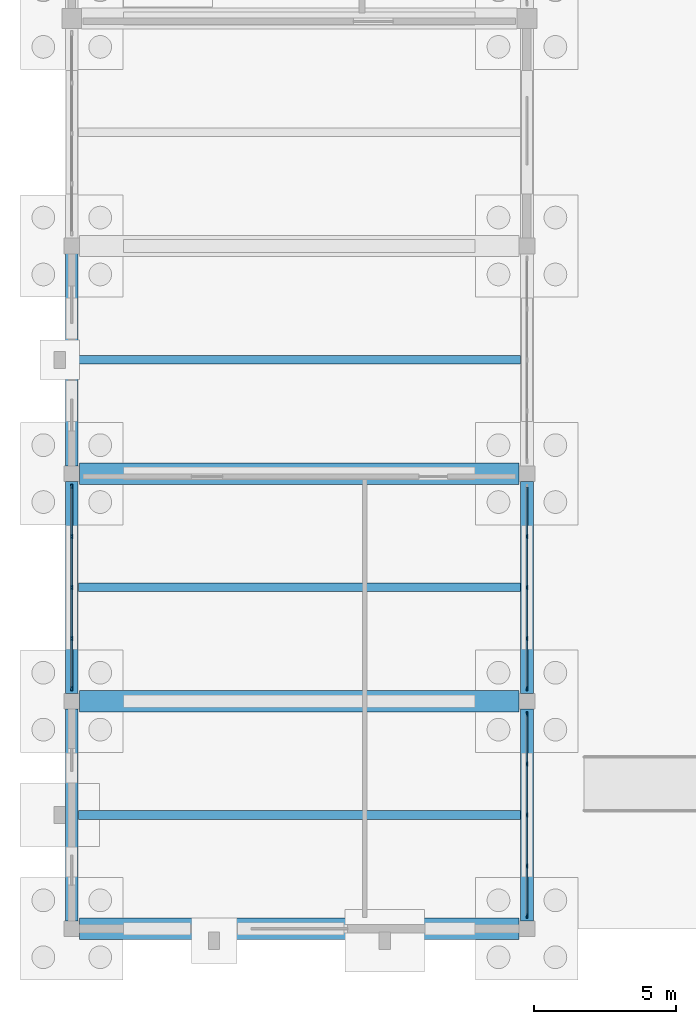
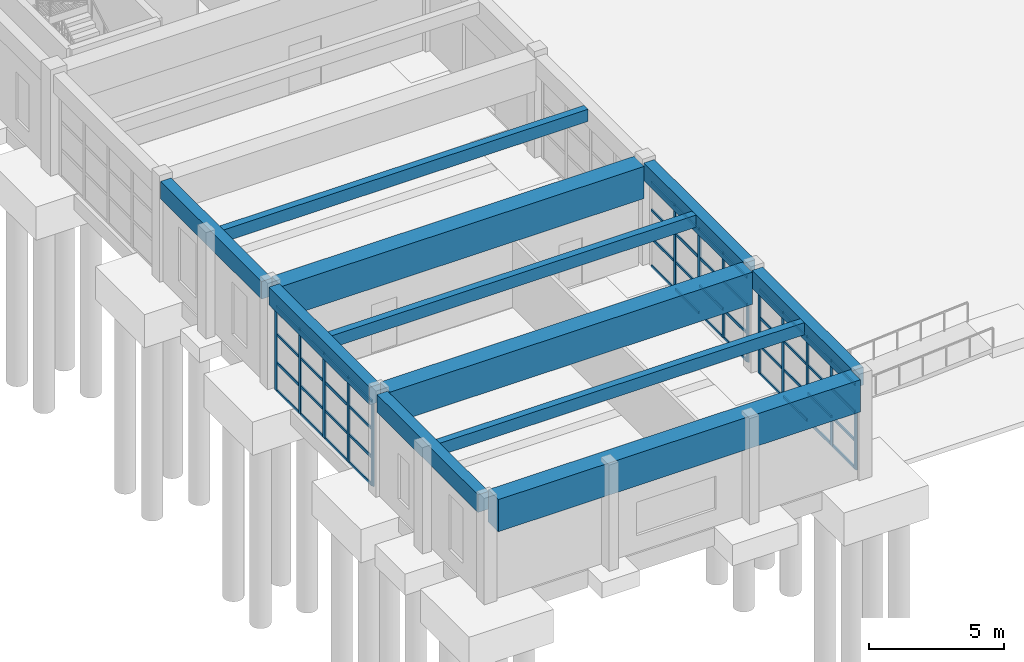
# One storey, part 10 of 68: 62 members, 11 beams, 3 elements without a shape of their own.
"""IFC4 building model written with IfcOpenShell, lengths in metres."""

from ifc_helpers import new_model, si_unit, direction, frame, origin, origin_2d, place, context, subcontext, project, spatial, rectangle, extrude, material, material_profile, profile_set, type_object, element, aggregate, save


model = new_model("IFC4")

# Units and contexts
model_context = context("Model", 3, precision=1e-05, world=origin(), true_north=direction((0.0, 1.0)))
body_context = subcontext(model_context, "Body", "Model", "MODEL_VIEW")
ifc_project = project(units=[si_unit("LENGTHUNIT", "METRE"), si_unit("AREAUNIT", "SQUARE_METRE"), si_unit("VOLUMEUNIT", "CUBIC_METRE"), si_unit("PLANEANGLEUNIT", "RADIAN"), si_unit("MASSUNIT", "GRAM", prefix="KILO")], contexts=[model_context])

# Site, building, storey
site_placement = place(None, origin())
site = spatial("IfcSite", under=ifc_project, at=site_placement, CompositionType="ELEMENT")
building_placement = place(site_placement, origin())
building = spatial("IfcBuilding", under=site, at=building_placement, Name="Serraluz Foothill Cableway Terminal", CompositionType="ELEMENT")
storey_placement = place(building_placement, origin())
storey = spatial("IfcBuildingStorey", under=building, at=storey_placement, Name="L00", CompositionType="ELEMENT", Elevation=0.0)

# Beams
ifc_material_1 = material(Name="Concrete C35/45 (f'c 35 MPa)", Category="concrete")
ifc_material_profile_1 = material_profile(ifc_material_1, rectangle(XDim=0.449951171875, YDim=0.800048828125, at=origin_2d()), Name="RC 450x800")
ifc_profile_set_1 = profile_set([ifc_material_profile_1], Name="Concrete C35/45 (f'c 35 MPa)")
beam_type_1 = type_object("IfcBeamType", Name="TYP-BM-RC450X800", PredefinedType="BEAM", material=ifc_profile_set_1)
for number, where, z_axis, x_axis, name in (
    (1, (0.0, 0.27099609375, 4.219970703125), (0.0, 1.0, 0.0), (-1.0, 0.0, 0.0), "Transverse Girder BM-Y-L00-0111"),
    (2, (0.0, 8.27099609375, 4.219970703125), (0.0, 1.0, 0.0), (-1.0, 0.0, 0.0), "Transverse Girder BM-Y-L00-0112"),
    (3, (0.0, 16.27099609375, 4.139892578125), (0.0, 1.0, 0.0), (-1.0, 0.0, 0.0), "Transverse Girder BM-Y-L00-0113"),
    (4, (16.0, 0.27099609375, 4.219970703125), (0.0, 1.0, 0.0), (-1.0, 0.0, 0.0), "Transverse Girder BM-Y-L00-0119"),
    (5, (16.0, 8.27099609375, 4.219970703125), (0.0, 1.0, 0.0), (-1.0, 0.0, 0.0), "Transverse Girder BM-Y-L00-0120"),
):
    element("IfcBeam", number, at=place(storey_placement, frame(where, z_axis=z_axis, x_axis=x_axis)), inside=storey, type_object=beam_type_1, Name=name, PredefinedType="BEAM", context=body_context, shape_type="SweptSolid", body=[
        extrude(rectangle(XDim=0.449951171875, YDim=0.800048828125, at=origin_2d()), origin(), (0.0, 0.0, 1.0), 7.4580078125),
    ])
ifc_material_profile_2 = material_profile(ifc_material_1, rectangle(XDim=0.75, YDim=1.449951171875, at=origin_2d()), Name="RC TG 750x1450")
ifc_profile_set_2 = profile_set([ifc_material_profile_2], Name="Concrete C35/45 (f'c 35 MPa)")
beam_type_2 = type_object("IfcBeamType", Name="TYP-BM-RCTG1450", PredefinedType="BEAM", material=ifc_profile_set_2)
for number, where, z_axis, x_axis, name in (
    (6, (0.27099609375, 0.0, 3.89501953125), (1.0, 0.0, 0.0), (0.0, 1.0, 0.0), "Primary Girder BM-X-L00-0033"),
    (7, (0.27099609375, 8.0, 3.89501953125), (1.0, 0.0, 0.0), (0.0, 1.0, 0.0), "Primary Girder BM-X-L00-0040"),
    (8, (0.27099609375, 16.0, 3.81494140625), (1.0, 0.0, 0.0), (0.0, 1.0, 0.0), "Primary Girder BM-X-L00-0041"),
):
    element("IfcBeam", number, at=place(storey_placement, frame(where, z_axis=z_axis, x_axis=x_axis)), inside=storey, type_object=beam_type_2, Name=name, PredefinedType="BEAM", context=body_context, shape_type="SweptSolid", body=[
        extrude(rectangle(XDim=0.75, YDim=1.449951171875, at=origin_2d()), origin(), (0.0, 0.0, 1.0), 15.4580078125),
    ])

# Curtain wall, members
ifc_material_2 = material(Name="Architectural bronze alloy C28000", Category="aluminium")
curtain_wall_type_1 = type_object("IfcCurtainWallType", Name="TYP-CW-520X480", PredefinedType="NOTDEFINED", material=ifc_material_2)
curtain_wall_1_placement = place(storey_placement, origin())
curtain_wall_1 = element("IfcCurtainWall", 9, at=curtain_wall_1_placement, inside=storey, type_object=curtain_wall_type_1, Name="Ribbed Glazed Curtain Wall CW-V5E-L00-0", PredefinedType="NOTDEFINED")
ifc_material_profile_3 = material_profile(ifc_material_2, rectangle(XDim=0.06005859375, YDim=0.159912109375, at=origin_2d()), Name="ALU MULLION 60x160")
ifc_profile_set_3 = profile_set([ifc_material_profile_3], Name="Architectural bronze alloy C28000")
member_type_1 = type_object("IfcMemberType", Name="TYP-CW-MUL-60X160", PredefinedType="MULLION", material=ifc_profile_set_3)
member_1_placement = place(storey_placement, frame((16.0, 7.554931640625, 0.0), z_axis=(0.0, 0.0, 1.0), x_axis=(1.0, 0.0, 0.0)))
member_1 = element("IfcMember", 10, at=member_1_placement, type_object=member_type_1, Name="CW-09 mullion 1", PredefinedType="MULLION", context=body_context, shape_type="SweptSolid", body=[
    extrude(rectangle(XDim=0.06005859375, YDim=0.159912109375, at=origin_2d()), origin(), (0.0, 0.0, 1.0), 3.820068359375),
])
member_2_placement = place(storey_placement, frame((16.0, 5.79248046875, 0.0), z_axis=(0.0, 0.0, 1.0), x_axis=(1.0, 0.0, 0.0)))
member_2 = element("IfcMember", 11, at=member_2_placement, type_object=member_type_1, Name="CW-09 mullion 2", PredefinedType="MULLION", context=body_context, shape_type="SweptSolid", body=[
    extrude(rectangle(XDim=0.06005859375, YDim=0.159912109375, at=origin_2d()), origin(), (0.0, 0.0, 1.0), 3.820068359375),
])
member_3_placement = place(storey_placement, frame((16.0, 4.0, 0.0), z_axis=(0.0, 0.0, 1.0), x_axis=(1.0, 0.0, 0.0)))
member_3 = element("IfcMember", 12, at=member_3_placement, type_object=member_type_1, Name="CW-09 mullion 3", PredefinedType="MULLION", context=body_context, shape_type="SweptSolid", body=[
    extrude(rectangle(XDim=0.06005859375, YDim=0.159912109375, at=origin_2d()), origin(), (0.0, 0.0, 1.0), 3.820068359375),
])
member_4_placement = place(storey_placement, frame((16.0, 2.20751953125, 0.0), z_axis=(0.0, 0.0, 1.0), x_axis=(1.0, 0.0, 0.0)))
member_4 = element("IfcMember", 13, at=member_4_placement, type_object=member_type_1, Name="CW-09 mullion 4", PredefinedType="MULLION", context=body_context, shape_type="SweptSolid", body=[
    extrude(rectangle(XDim=0.06005859375, YDim=0.159912109375, at=origin_2d()), origin(), (0.0, 0.0, 1.0), 3.820068359375),
])
member_5_placement = place(storey_placement, frame((16.0, 0.445068359375, 0.0), z_axis=(0.0, 0.0, 1.0), x_axis=(1.0, 0.0, 0.0)))
member_5 = element("IfcMember", 14, at=member_5_placement, type_object=member_type_1, Name="CW-09 mullion 5", PredefinedType="MULLION", context=body_context, shape_type="SweptSolid", body=[
    extrude(rectangle(XDim=0.06005859375, YDim=0.159912109375, at=origin_2d()), origin(), (0.0, 0.0, 1.0), 3.820068359375),
])

curtain_wall_type_2 = type_object("IfcCurtainWallType", Name="TYP-CW-720X480", PredefinedType="NOTDEFINED", material=ifc_material_2)
curtain_wall_2_placement = place(storey_placement, origin())
curtain_wall_2 = element("IfcCurtainWall", 15, at=curtain_wall_2_placement, inside=storey, type_object=curtain_wall_type_2, Name="Ribbed Glazed Curtain Wall CW-V5W-L00-8", PredefinedType="NOTDEFINED")
member_6_placement = place(storey_placement, frame((0.0, 8.445068359375, 0.0), z_axis=(0.0, 0.0, 1.0), x_axis=(-1.0, 0.0, 0.0)))
member_6 = element("IfcMember", 16, at=member_6_placement, type_object=member_type_1, Name="CW-04 mullion 1", PredefinedType="MULLION", context=body_context, shape_type="SweptSolid", body=[
    extrude(rectangle(XDim=0.06005859375, YDim=0.159912109375, at=origin_2d()), origin(), (0.0, 0.0, 1.0), 3.820068359375),
])
member_7_placement = place(storey_placement, frame((0.0, 10.20751953125, 0.0), z_axis=(0.0, 0.0, 1.0), x_axis=(-1.0, 0.0, 0.0)))
member_7 = element("IfcMember", 17, at=member_7_placement, type_object=member_type_1, Name="CW-04 mullion 2", PredefinedType="MULLION", context=body_context, shape_type="SweptSolid", body=[
    extrude(rectangle(XDim=0.06005859375, YDim=0.159912109375, at=origin_2d()), origin(), (0.0, 0.0, 1.0), 3.820068359375),
])
member_8_placement = place(storey_placement, frame((0.0, 12.0, 0.0), z_axis=(0.0, 0.0, 1.0), x_axis=(-1.0, 0.0, 0.0)))
member_8 = element("IfcMember", 18, at=member_8_placement, type_object=member_type_1, Name="CW-04 mullion 3", PredefinedType="MULLION", context=body_context, shape_type="SweptSolid", body=[
    extrude(rectangle(XDim=0.06005859375, YDim=0.159912109375, at=origin_2d()), origin(), (0.0, 0.0, 1.0), 3.820068359375),
])
member_9_placement = place(storey_placement, frame((0.0, 13.79248046875, 0.0), z_axis=(0.0, 0.0, 1.0), x_axis=(-1.0, 0.0, 0.0)))
member_9 = element("IfcMember", 19, at=member_9_placement, type_object=member_type_1, Name="CW-04 mullion 4", PredefinedType="MULLION", context=body_context, shape_type="SweptSolid", body=[
    extrude(rectangle(XDim=0.06005859375, YDim=0.159912109375, at=origin_2d()), origin(), (0.0, 0.0, 1.0), 3.820068359375),
])
member_10_placement = place(storey_placement, frame((0.0, 15.554931640625, 0.0), z_axis=(0.0, 0.0, 1.0), x_axis=(-1.0, 0.0, 0.0)))
member_10 = element("IfcMember", 20, at=member_10_placement, type_object=member_type_1, Name="CW-04 mullion 5", PredefinedType="MULLION", context=body_context, shape_type="SweptSolid", body=[
    extrude(rectangle(XDim=0.06005859375, YDim=0.159912109375, at=origin_2d()), origin(), (0.0, 0.0, 1.0), 3.820068359375),
])

curtain_wall_type_3 = type_object("IfcCurtainWallType", Name="TYP-CW-540X420", PredefinedType="NOTDEFINED", material=ifc_material_2)
curtain_wall_3_placement = place(storey_placement, origin())
curtain_wall_3 = element("IfcCurtainWall", 21, at=curtain_wall_3_placement, inside=storey, type_object=curtain_wall_type_3, Name="Ribbed Glazed Curtain Wall CW-V5E-L00-8", PredefinedType="NOTDEFINED")
member_11_placement = place(storey_placement, frame((16.0, 13.79248046875, 0.0), z_axis=(0.0, 0.0, 1.0), x_axis=(1.0, 0.0, 0.0)))
member_11 = element("IfcMember", 22, at=member_11_placement, type_object=member_type_1, Name="CW-10 mullion 2", PredefinedType="MULLION", context=body_context, shape_type="SweptSolid", body=[
    extrude(rectangle(XDim=0.06005859375, YDim=0.159912109375, at=origin_2d()), origin(), (0.0, 0.0, 1.0), 3.820068359375),
])
member_12_placement = place(storey_placement, frame((16.0, 12.0, 0.0), z_axis=(0.0, 0.0, 1.0), x_axis=(1.0, 0.0, 0.0)))
member_12 = element("IfcMember", 23, at=member_12_placement, type_object=member_type_1, Name="CW-10 mullion 3", PredefinedType="MULLION", context=body_context, shape_type="SweptSolid", body=[
    extrude(rectangle(XDim=0.06005859375, YDim=0.159912109375, at=origin_2d()), origin(), (0.0, 0.0, 1.0), 3.820068359375),
])
member_13_placement = place(storey_placement, frame((16.0, 10.20751953125, 0.0), z_axis=(0.0, 0.0, 1.0), x_axis=(1.0, 0.0, 0.0)))
member_13 = element("IfcMember", 24, at=member_13_placement, type_object=member_type_1, Name="CW-10 mullion 4", PredefinedType="MULLION", context=body_context, shape_type="SweptSolid", body=[
    extrude(rectangle(XDim=0.06005859375, YDim=0.159912109375, at=origin_2d()), origin(), (0.0, 0.0, 1.0), 3.820068359375),
])
member_14_placement = place(storey_placement, frame((16.0, 8.445068359375, 0.0), z_axis=(0.0, 0.0, 1.0), x_axis=(1.0, 0.0, 0.0)))
member_14 = element("IfcMember", 25, at=member_14_placement, type_object=member_type_1, Name="CW-10 mullion 5", PredefinedType="MULLION", context=body_context, shape_type="SweptSolid", body=[
    extrude(rectangle(XDim=0.06005859375, YDim=0.159912109375, at=origin_2d()), origin(), (0.0, 0.0, 1.0), 3.820068359375),
])

# Member
ifc_material_profile_4 = material_profile(ifc_material_2, rectangle(XDim=0.06005859375, YDim=0.1201171875, at=origin_2d()), Name="ALU TRANSOM 60x120")
ifc_profile_set_4 = profile_set([ifc_material_profile_4], Name="Architectural bronze alloy C28000")
member_type_2 = type_object("IfcMemberType", Name="TYP-CW-TRN-60X120", PredefinedType="USERDEFINED", material=ifc_profile_set_4)
member_15_placement = place(storey_placement, frame((16.0, 7.52490234375, 0.030029296875), z_axis=(0.0, -1.0, 0.0), x_axis=(1.0, 0.0, 0.0)))
member_15 = element("IfcMember", 26, at=member_15_placement, type_object=member_type_2, Name="CW-09 transom 1.1", ObjectType="TRANSOM", PredefinedType="USERDEFINED", context=body_context, shape_type="SweptSolid", body=[
    extrude(rectangle(XDim=0.06005859375, YDim=0.1201171875, at=origin_2d()), origin(), (0.0, 0.0, 1.0), 1.702392578125),
])

member_16_placement = place(storey_placement, frame((16.0, 7.52490234375, 1.273193359375), z_axis=(0.0, -1.0, 0.0), x_axis=(1.0, 0.0, 0.0)))
member_16 = element("IfcMember", 27, at=member_16_placement, type_object=member_type_2, Name="CW-09 transom 1.2", ObjectType="TRANSOM", PredefinedType="USERDEFINED", context=body_context, shape_type="SweptSolid", body=[
    extrude(rectangle(XDim=0.06005859375, YDim=0.1201171875, at=origin_2d()), origin(), (0.0, 0.0, 1.0), 1.702392578125),
])

member_17_placement = place(storey_placement, frame((16.0, 7.52490234375, 2.546630859375), z_axis=(0.0, -1.0, 0.0), x_axis=(1.0, 0.0, 0.0)))
member_17 = element("IfcMember", 28, at=member_17_placement, type_object=member_type_2, Name="CW-09 transom 1.3", ObjectType="TRANSOM", PredefinedType="USERDEFINED", context=body_context, shape_type="SweptSolid", body=[
    extrude(rectangle(XDim=0.06005859375, YDim=0.1201171875, at=origin_2d()), origin(), (0.0, 0.0, 1.0), 1.702392578125),
])

member_18_placement = place(storey_placement, frame((16.0, 7.52490234375, 3.7900390625), z_axis=(0.0, -1.0, 0.0), x_axis=(1.0, 0.0, 0.0)))
member_18 = element("IfcMember", 29, at=member_18_placement, type_object=member_type_2, Name="CW-09 transom 1.4", ObjectType="TRANSOM", PredefinedType="USERDEFINED", context=body_context, shape_type="SweptSolid", body=[
    extrude(rectangle(XDim=0.06005859375, YDim=0.1201171875, at=origin_2d()), origin(), (0.0, 0.0, 1.0), 1.702392578125),
])

member_19_placement = place(storey_placement, frame((16.0, 5.762451171875, 0.030029296875), z_axis=(0.0, -1.0, 0.0), x_axis=(1.0, 0.0, 0.0)))
member_19 = element("IfcMember", 30, at=member_19_placement, type_object=member_type_2, Name="CW-09 transom 2.1", ObjectType="TRANSOM", PredefinedType="USERDEFINED", context=body_context, shape_type="SweptSolid", body=[
    extrude(rectangle(XDim=0.06005859375, YDim=0.1201171875, at=origin_2d()), origin(), (0.0, 0.0, 1.0), 1.732421875),
])

member_20_placement = place(storey_placement, frame((16.0, 5.762451171875, 1.273193359375), z_axis=(0.0, -1.0, 0.0), x_axis=(1.0, 0.0, 0.0)))
member_20 = element("IfcMember", 31, at=member_20_placement, type_object=member_type_2, Name="CW-09 transom 2.2", ObjectType="TRANSOM", PredefinedType="USERDEFINED", context=body_context, shape_type="SweptSolid", body=[
    extrude(rectangle(XDim=0.06005859375, YDim=0.1201171875, at=origin_2d()), origin(), (0.0, 0.0, 1.0), 1.732421875),
])

member_21_placement = place(storey_placement, frame((16.0, 5.762451171875, 2.546630859375), z_axis=(0.0, -1.0, 0.0), x_axis=(1.0, 0.0, 0.0)))
member_21 = element("IfcMember", 32, at=member_21_placement, type_object=member_type_2, Name="CW-09 transom 2.3", ObjectType="TRANSOM", PredefinedType="USERDEFINED", context=body_context, shape_type="SweptSolid", body=[
    extrude(rectangle(XDim=0.06005859375, YDim=0.1201171875, at=origin_2d()), origin(), (0.0, 0.0, 1.0), 1.732421875),
])

member_22_placement = place(storey_placement, frame((16.0, 5.762451171875, 3.7900390625), z_axis=(0.0, -1.0, 0.0), x_axis=(1.0, 0.0, 0.0)))
member_22 = element("IfcMember", 33, at=member_22_placement, type_object=member_type_2, Name="CW-09 transom 2.4", ObjectType="TRANSOM", PredefinedType="USERDEFINED", context=body_context, shape_type="SweptSolid", body=[
    extrude(rectangle(XDim=0.06005859375, YDim=0.1201171875, at=origin_2d()), origin(), (0.0, 0.0, 1.0), 1.732421875),
])

member_23_placement = place(storey_placement, frame((16.0, 3.969970703125, 0.030029296875), z_axis=(0.0, -1.0, 0.0), x_axis=(1.0, 0.0, 0.0)))
member_23 = element("IfcMember", 34, at=member_23_placement, type_object=member_type_2, Name="CW-09 transom 3.1", ObjectType="TRANSOM", PredefinedType="USERDEFINED", context=body_context, shape_type="SweptSolid", body=[
    extrude(rectangle(XDim=0.06005859375, YDim=0.1201171875, at=origin_2d()), origin(), (0.0, 0.0, 1.0), 1.732421875),
])

member_24_placement = place(storey_placement, frame((16.0, 3.969970703125, 1.273193359375), z_axis=(0.0, -1.0, 0.0), x_axis=(1.0, 0.0, 0.0)))
member_24 = element("IfcMember", 35, at=member_24_placement, type_object=member_type_2, Name="CW-09 transom 3.2", ObjectType="TRANSOM", PredefinedType="USERDEFINED", context=body_context, shape_type="SweptSolid", body=[
    extrude(rectangle(XDim=0.06005859375, YDim=0.1201171875, at=origin_2d()), origin(), (0.0, 0.0, 1.0), 1.732421875),
])

member_25_placement = place(storey_placement, frame((16.0, 3.969970703125, 2.546630859375), z_axis=(0.0, -1.0, 0.0), x_axis=(1.0, 0.0, 0.0)))
member_25 = element("IfcMember", 36, at=member_25_placement, type_object=member_type_2, Name="CW-09 transom 3.3", ObjectType="TRANSOM", PredefinedType="USERDEFINED", context=body_context, shape_type="SweptSolid", body=[
    extrude(rectangle(XDim=0.06005859375, YDim=0.1201171875, at=origin_2d()), origin(), (0.0, 0.0, 1.0), 1.732421875),
])

member_26_placement = place(storey_placement, frame((16.0, 3.969970703125, 3.7900390625), z_axis=(0.0, -1.0, 0.0), x_axis=(1.0, 0.0, 0.0)))
member_26 = element("IfcMember", 37, at=member_26_placement, type_object=member_type_2, Name="CW-09 transom 3.4", ObjectType="TRANSOM", PredefinedType="USERDEFINED", context=body_context, shape_type="SweptSolid", body=[
    extrude(rectangle(XDim=0.06005859375, YDim=0.1201171875, at=origin_2d()), origin(), (0.0, 0.0, 1.0), 1.732421875),
])

member_27_placement = place(storey_placement, frame((16.0, 2.177490234375, 0.030029296875), z_axis=(0.0, -1.0, 0.0), x_axis=(1.0, 0.0, 0.0)))
member_27 = element("IfcMember", 38, at=member_27_placement, type_object=member_type_2, Name="CW-09 transom 4.1", ObjectType="TRANSOM", PredefinedType="USERDEFINED", context=body_context, shape_type="SweptSolid", body=[
    extrude(rectangle(XDim=0.06005859375, YDim=0.1201171875, at=origin_2d()), origin(), (0.0, 0.0, 1.0), 1.702392578125),
])

member_28_placement = place(storey_placement, frame((16.0, 2.177490234375, 1.273193359375), z_axis=(0.0, -1.0, 0.0), x_axis=(1.0, 0.0, 0.0)))
member_28 = element("IfcMember", 39, at=member_28_placement, type_object=member_type_2, Name="CW-09 transom 4.2", ObjectType="TRANSOM", PredefinedType="USERDEFINED", context=body_context, shape_type="SweptSolid", body=[
    extrude(rectangle(XDim=0.06005859375, YDim=0.1201171875, at=origin_2d()), origin(), (0.0, 0.0, 1.0), 1.702392578125),
])

member_29_placement = place(storey_placement, frame((16.0, 2.177490234375, 2.546630859375), z_axis=(0.0, -1.0, 0.0), x_axis=(1.0, 0.0, 0.0)))
member_29 = element("IfcMember", 40, at=member_29_placement, type_object=member_type_2, Name="CW-09 transom 4.3", ObjectType="TRANSOM", PredefinedType="USERDEFINED", context=body_context, shape_type="SweptSolid", body=[
    extrude(rectangle(XDim=0.06005859375, YDim=0.1201171875, at=origin_2d()), origin(), (0.0, 0.0, 1.0), 1.702392578125),
])

member_30_placement = place(storey_placement, frame((16.0, 2.177490234375, 3.7900390625), z_axis=(0.0, -1.0, 0.0), x_axis=(1.0, 0.0, 0.0)))
member_30 = element("IfcMember", 41, at=member_30_placement, type_object=member_type_2, Name="CW-09 transom 4.4", ObjectType="TRANSOM", PredefinedType="USERDEFINED", context=body_context, shape_type="SweptSolid", body=[
    extrude(rectangle(XDim=0.06005859375, YDim=0.1201171875, at=origin_2d()), origin(), (0.0, 0.0, 1.0), 1.702392578125),
])

aggregate(curtain_wall_1, [member_1, member_2, member_3, member_4, member_5, member_15, member_16, member_17, member_18, member_19, member_20, member_21, member_22, member_23, member_24, member_25, member_26, member_27, member_28, member_29, member_30])

member_31_placement = place(storey_placement, frame((0.0, 8.47509765625, 0.030029296875), z_axis=(0.0, 1.0, 0.0), x_axis=(-1.0, 0.0, 0.0)))
member_31 = element("IfcMember", 42, at=member_31_placement, type_object=member_type_2, Name="CW-04 transom 1.1", ObjectType="TRANSOM", PredefinedType="USERDEFINED", context=body_context, shape_type="SweptSolid", body=[
    extrude(rectangle(XDim=0.06005859375, YDim=0.1201171875, at=origin_2d()), origin(), (0.0, 0.0, 1.0), 1.702392578125),
])

member_32_placement = place(storey_placement, frame((0.0, 8.47509765625, 1.273193359375), z_axis=(0.0, 1.0, 0.0), x_axis=(-1.0, 0.0, 0.0)))
member_32 = element("IfcMember", 43, at=member_32_placement, type_object=member_type_2, Name="CW-04 transom 1.2", ObjectType="TRANSOM", PredefinedType="USERDEFINED", context=body_context, shape_type="SweptSolid", body=[
    extrude(rectangle(XDim=0.06005859375, YDim=0.1201171875, at=origin_2d()), origin(), (0.0, 0.0, 1.0), 1.702392578125),
])

member_33_placement = place(storey_placement, frame((0.0, 8.47509765625, 2.546630859375), z_axis=(0.0, 1.0, 0.0), x_axis=(-1.0, 0.0, 0.0)))
member_33 = element("IfcMember", 44, at=member_33_placement, type_object=member_type_2, Name="CW-04 transom 1.3", ObjectType="TRANSOM", PredefinedType="USERDEFINED", context=body_context, shape_type="SweptSolid", body=[
    extrude(rectangle(XDim=0.06005859375, YDim=0.1201171875, at=origin_2d()), origin(), (0.0, 0.0, 1.0), 1.702392578125),
])

member_34_placement = place(storey_placement, frame((0.0, 8.47509765625, 3.7900390625), z_axis=(0.0, 1.0, 0.0), x_axis=(-1.0, 0.0, 0.0)))
member_34 = element("IfcMember", 45, at=member_34_placement, type_object=member_type_2, Name="CW-04 transom 1.4", ObjectType="TRANSOM", PredefinedType="USERDEFINED", context=body_context, shape_type="SweptSolid", body=[
    extrude(rectangle(XDim=0.06005859375, YDim=0.1201171875, at=origin_2d()), origin(), (0.0, 0.0, 1.0), 1.702392578125),
])

member_35_placement = place(storey_placement, frame((0.0, 10.237548828125, 0.030029296875), z_axis=(0.0, 1.0, 0.0), x_axis=(-1.0, 0.0, 0.0)))
member_35 = element("IfcMember", 46, at=member_35_placement, type_object=member_type_2, Name="CW-04 transom 2.1", ObjectType="TRANSOM", PredefinedType="USERDEFINED", context=body_context, shape_type="SweptSolid", body=[
    extrude(rectangle(XDim=0.06005859375, YDim=0.1201171875, at=origin_2d()), origin(), (0.0, 0.0, 1.0), 1.732421875),
])

member_36_placement = place(storey_placement, frame((0.0, 10.237548828125, 1.273193359375), z_axis=(0.0, 1.0, 0.0), x_axis=(-1.0, 0.0, 0.0)))
member_36 = element("IfcMember", 47, at=member_36_placement, type_object=member_type_2, Name="CW-04 transom 2.2", ObjectType="TRANSOM", PredefinedType="USERDEFINED", context=body_context, shape_type="SweptSolid", body=[
    extrude(rectangle(XDim=0.06005859375, YDim=0.1201171875, at=origin_2d()), origin(), (0.0, 0.0, 1.0), 1.732421875),
])

member_37_placement = place(storey_placement, frame((0.0, 10.237548828125, 2.546630859375), z_axis=(0.0, 1.0, 0.0), x_axis=(-1.0, 0.0, 0.0)))
member_37 = element("IfcMember", 48, at=member_37_placement, type_object=member_type_2, Name="CW-04 transom 2.3", ObjectType="TRANSOM", PredefinedType="USERDEFINED", context=body_context, shape_type="SweptSolid", body=[
    extrude(rectangle(XDim=0.06005859375, YDim=0.1201171875, at=origin_2d()), origin(), (0.0, 0.0, 1.0), 1.732421875),
])

member_38_placement = place(storey_placement, frame((0.0, 10.237548828125, 3.7900390625), z_axis=(0.0, 1.0, 0.0), x_axis=(-1.0, 0.0, 0.0)))
member_38 = element("IfcMember", 49, at=member_38_placement, type_object=member_type_2, Name="CW-04 transom 2.4", ObjectType="TRANSOM", PredefinedType="USERDEFINED", context=body_context, shape_type="SweptSolid", body=[
    extrude(rectangle(XDim=0.06005859375, YDim=0.1201171875, at=origin_2d()), origin(), (0.0, 0.0, 1.0), 1.732421875),
])

member_39_placement = place(storey_placement, frame((0.0, 12.030029296875, 0.030029296875), z_axis=(0.0, 1.0, 0.0), x_axis=(-1.0, 0.0, 0.0)))
member_39 = element("IfcMember", 50, at=member_39_placement, type_object=member_type_2, Name="CW-04 transom 3.1", ObjectType="TRANSOM", PredefinedType="USERDEFINED", context=body_context, shape_type="SweptSolid", body=[
    extrude(rectangle(XDim=0.06005859375, YDim=0.1201171875, at=origin_2d()), origin(), (0.0, 0.0, 1.0), 1.732421875),
])

member_40_placement = place(storey_placement, frame((0.0, 12.030029296875, 1.273193359375), z_axis=(0.0, 1.0, 0.0), x_axis=(-1.0, 0.0, 0.0)))
member_40 = element("IfcMember", 51, at=member_40_placement, type_object=member_type_2, Name="CW-04 transom 3.2", ObjectType="TRANSOM", PredefinedType="USERDEFINED", context=body_context, shape_type="SweptSolid", body=[
    extrude(rectangle(XDim=0.06005859375, YDim=0.1201171875, at=origin_2d()), origin(), (0.0, 0.0, 1.0), 1.732421875),
])

member_41_placement = place(storey_placement, frame((0.0, 12.030029296875, 2.546630859375), z_axis=(0.0, 1.0, 0.0), x_axis=(-1.0, 0.0, 0.0)))
member_41 = element("IfcMember", 52, at=member_41_placement, type_object=member_type_2, Name="CW-04 transom 3.3", ObjectType="TRANSOM", PredefinedType="USERDEFINED", context=body_context, shape_type="SweptSolid", body=[
    extrude(rectangle(XDim=0.06005859375, YDim=0.1201171875, at=origin_2d()), origin(), (0.0, 0.0, 1.0), 1.732421875),
])

member_42_placement = place(storey_placement, frame((0.0, 12.030029296875, 3.7900390625), z_axis=(0.0, 1.0, 0.0), x_axis=(-1.0, 0.0, 0.0)))
member_42 = element("IfcMember", 53, at=member_42_placement, type_object=member_type_2, Name="CW-04 transom 3.4", ObjectType="TRANSOM", PredefinedType="USERDEFINED", context=body_context, shape_type="SweptSolid", body=[
    extrude(rectangle(XDim=0.06005859375, YDim=0.1201171875, at=origin_2d()), origin(), (0.0, 0.0, 1.0), 1.732421875),
])

member_43_placement = place(storey_placement, frame((0.0, 13.822509765625, 0.030029296875), z_axis=(0.0, 1.0, 0.0), x_axis=(-1.0, 0.0, 0.0)))
member_43 = element("IfcMember", 54, at=member_43_placement, type_object=member_type_2, Name="CW-04 transom 4.1", ObjectType="TRANSOM", PredefinedType="USERDEFINED", context=body_context, shape_type="SweptSolid", body=[
    extrude(rectangle(XDim=0.06005859375, YDim=0.1201171875, at=origin_2d()), origin(), (0.0, 0.0, 1.0), 1.702392578125),
])

member_44_placement = place(storey_placement, frame((0.0, 13.822509765625, 1.273193359375), z_axis=(0.0, 1.0, 0.0), x_axis=(-1.0, 0.0, 0.0)))
member_44 = element("IfcMember", 55, at=member_44_placement, type_object=member_type_2, Name="CW-04 transom 4.2", ObjectType="TRANSOM", PredefinedType="USERDEFINED", context=body_context, shape_type="SweptSolid", body=[
    extrude(rectangle(XDim=0.06005859375, YDim=0.1201171875, at=origin_2d()), origin(), (0.0, 0.0, 1.0), 1.702392578125),
])

member_45_placement = place(storey_placement, frame((0.0, 13.822509765625, 2.546630859375), z_axis=(0.0, 1.0, 0.0), x_axis=(-1.0, 0.0, 0.0)))
member_45 = element("IfcMember", 56, at=member_45_placement, type_object=member_type_2, Name="CW-04 transom 4.3", ObjectType="TRANSOM", PredefinedType="USERDEFINED", context=body_context, shape_type="SweptSolid", body=[
    extrude(rectangle(XDim=0.06005859375, YDim=0.1201171875, at=origin_2d()), origin(), (0.0, 0.0, 1.0), 1.702392578125),
])

member_46_placement = place(storey_placement, frame((0.0, 13.822509765625, 3.7900390625), z_axis=(0.0, 1.0, 0.0), x_axis=(-1.0, 0.0, 0.0)))
member_46 = element("IfcMember", 57, at=member_46_placement, type_object=member_type_2, Name="CW-04 transom 4.4", ObjectType="TRANSOM", PredefinedType="USERDEFINED", context=body_context, shape_type="SweptSolid", body=[
    extrude(rectangle(XDim=0.06005859375, YDim=0.1201171875, at=origin_2d()), origin(), (0.0, 0.0, 1.0), 1.702392578125),
])

aggregate(curtain_wall_2, [member_6, member_7, member_8, member_9, member_10, member_31, member_32, member_33, member_34, member_35, member_36, member_37, member_38, member_39, member_40, member_41, member_42, member_43, member_44, member_45, member_46])

member_47_placement = place(storey_placement, frame((16.0, 15.52490234375, 0.030029296875), z_axis=(0.0, -1.0, 0.0), x_axis=(1.0, 0.0, 0.0)))
member_47 = element("IfcMember", 58, at=member_47_placement, type_object=member_type_2, Name="CW-10 transom 1.1", ObjectType="TRANSOM", PredefinedType="USERDEFINED", context=body_context, shape_type="SweptSolid", body=[
    extrude(rectangle(XDim=0.06005859375, YDim=0.1201171875, at=origin_2d()), origin(), (0.0, 0.0, 1.0), 1.702392578125),
])

member_48_placement = place(storey_placement, frame((16.0, 15.52490234375, 1.273193359375), z_axis=(0.0, -1.0, 0.0), x_axis=(1.0, 0.0, 0.0)))
member_48 = element("IfcMember", 59, at=member_48_placement, type_object=member_type_2, Name="CW-10 transom 1.2", ObjectType="TRANSOM", PredefinedType="USERDEFINED", context=body_context, shape_type="SweptSolid", body=[
    extrude(rectangle(XDim=0.06005859375, YDim=0.1201171875, at=origin_2d()), origin(), (0.0, 0.0, 1.0), 1.702392578125),
])

member_49_placement = place(storey_placement, frame((16.0, 15.52490234375, 2.546630859375), z_axis=(0.0, -1.0, 0.0), x_axis=(1.0, 0.0, 0.0)))
member_49 = element("IfcMember", 60, at=member_49_placement, type_object=member_type_2, Name="CW-10 transom 1.3", ObjectType="TRANSOM", PredefinedType="USERDEFINED", context=body_context, shape_type="SweptSolid", body=[
    extrude(rectangle(XDim=0.06005859375, YDim=0.1201171875, at=origin_2d()), origin(), (0.0, 0.0, 1.0), 1.702392578125),
])

member_50_placement = place(storey_placement, frame((16.0, 15.52490234375, 3.7900390625), z_axis=(0.0, -1.0, 0.0), x_axis=(1.0, 0.0, 0.0)))
member_50 = element("IfcMember", 61, at=member_50_placement, type_object=member_type_2, Name="CW-10 transom 1.4", ObjectType="TRANSOM", PredefinedType="USERDEFINED", context=body_context, shape_type="SweptSolid", body=[
    extrude(rectangle(XDim=0.06005859375, YDim=0.1201171875, at=origin_2d()), origin(), (0.0, 0.0, 1.0), 1.702392578125),
])

member_51_placement = place(storey_placement, frame((16.0, 13.762451171875, 0.030029296875), z_axis=(0.0, -1.0, 0.0), x_axis=(1.0, 0.0, 0.0)))
member_51 = element("IfcMember", 62, at=member_51_placement, type_object=member_type_2, Name="CW-10 transom 2.1", ObjectType="TRANSOM", PredefinedType="USERDEFINED", context=body_context, shape_type="SweptSolid", body=[
    extrude(rectangle(XDim=0.06005859375, YDim=0.1201171875, at=origin_2d()), origin(), (0.0, 0.0, 1.0), 1.732421875),
])

member_52_placement = place(storey_placement, frame((16.0, 13.762451171875, 1.273193359375), z_axis=(0.0, -1.0, 0.0), x_axis=(1.0, 0.0, 0.0)))
member_52 = element("IfcMember", 63, at=member_52_placement, type_object=member_type_2, Name="CW-10 transom 2.2", ObjectType="TRANSOM", PredefinedType="USERDEFINED", context=body_context, shape_type="SweptSolid", body=[
    extrude(rectangle(XDim=0.06005859375, YDim=0.1201171875, at=origin_2d()), origin(), (0.0, 0.0, 1.0), 1.732421875),
])

member_53_placement = place(storey_placement, frame((16.0, 13.762451171875, 2.546630859375), z_axis=(0.0, -1.0, 0.0), x_axis=(1.0, 0.0, 0.0)))
member_53 = element("IfcMember", 64, at=member_53_placement, type_object=member_type_2, Name="CW-10 transom 2.3", ObjectType="TRANSOM", PredefinedType="USERDEFINED", context=body_context, shape_type="SweptSolid", body=[
    extrude(rectangle(XDim=0.06005859375, YDim=0.1201171875, at=origin_2d()), origin(), (0.0, 0.0, 1.0), 1.732421875),
])

member_54_placement = place(storey_placement, frame((16.0, 13.762451171875, 3.7900390625), z_axis=(0.0, -1.0, 0.0), x_axis=(1.0, 0.0, 0.0)))
member_54 = element("IfcMember", 65, at=member_54_placement, type_object=member_type_2, Name="CW-10 transom 2.4", ObjectType="TRANSOM", PredefinedType="USERDEFINED", context=body_context, shape_type="SweptSolid", body=[
    extrude(rectangle(XDim=0.06005859375, YDim=0.1201171875, at=origin_2d()), origin(), (0.0, 0.0, 1.0), 1.732421875),
])

member_55_placement = place(storey_placement, frame((16.0, 11.969970703125, 0.030029296875), z_axis=(0.0, -1.0, 0.0), x_axis=(1.0, 0.0, 0.0)))
member_55 = element("IfcMember", 66, at=member_55_placement, type_object=member_type_2, Name="CW-10 transom 3.1", ObjectType="TRANSOM", PredefinedType="USERDEFINED", context=body_context, shape_type="SweptSolid", body=[
    extrude(rectangle(XDim=0.06005859375, YDim=0.1201171875, at=origin_2d()), origin(), (0.0, 0.0, 1.0), 1.732421875),
])

member_56_placement = place(storey_placement, frame((16.0, 11.969970703125, 1.273193359375), z_axis=(0.0, -1.0, 0.0), x_axis=(1.0, 0.0, 0.0)))
member_56 = element("IfcMember", 67, at=member_56_placement, type_object=member_type_2, Name="CW-10 transom 3.2", ObjectType="TRANSOM", PredefinedType="USERDEFINED", context=body_context, shape_type="SweptSolid", body=[
    extrude(rectangle(XDim=0.06005859375, YDim=0.1201171875, at=origin_2d()), origin(), (0.0, 0.0, 1.0), 1.732421875),
])

member_57_placement = place(storey_placement, frame((16.0, 11.969970703125, 2.546630859375), z_axis=(0.0, -1.0, 0.0), x_axis=(1.0, 0.0, 0.0)))
member_57 = element("IfcMember", 68, at=member_57_placement, type_object=member_type_2, Name="CW-10 transom 3.3", ObjectType="TRANSOM", PredefinedType="USERDEFINED", context=body_context, shape_type="SweptSolid", body=[
    extrude(rectangle(XDim=0.06005859375, YDim=0.1201171875, at=origin_2d()), origin(), (0.0, 0.0, 1.0), 1.732421875),
])

member_58_placement = place(storey_placement, frame((16.0, 11.969970703125, 3.7900390625), z_axis=(0.0, -1.0, 0.0), x_axis=(1.0, 0.0, 0.0)))
member_58 = element("IfcMember", 69, at=member_58_placement, type_object=member_type_2, Name="CW-10 transom 3.4", ObjectType="TRANSOM", PredefinedType="USERDEFINED", context=body_context, shape_type="SweptSolid", body=[
    extrude(rectangle(XDim=0.06005859375, YDim=0.1201171875, at=origin_2d()), origin(), (0.0, 0.0, 1.0), 1.732421875),
])

member_59_placement = place(storey_placement, frame((16.0, 10.177490234375, 0.030029296875), z_axis=(0.0, -1.0, 0.0), x_axis=(1.0, 0.0, 0.0)))
member_59 = element("IfcMember", 70, at=member_59_placement, type_object=member_type_2, Name="CW-10 transom 4.1", ObjectType="TRANSOM", PredefinedType="USERDEFINED", context=body_context, shape_type="SweptSolid", body=[
    extrude(rectangle(XDim=0.06005859375, YDim=0.1201171875, at=origin_2d()), origin(), (0.0, 0.0, 1.0), 1.702392578125),
])

member_60_placement = place(storey_placement, frame((16.0, 10.177490234375, 1.273193359375), z_axis=(0.0, -1.0, 0.0), x_axis=(1.0, 0.0, 0.0)))
member_60 = element("IfcMember", 71, at=member_60_placement, type_object=member_type_2, Name="CW-10 transom 4.2", ObjectType="TRANSOM", PredefinedType="USERDEFINED", context=body_context, shape_type="SweptSolid", body=[
    extrude(rectangle(XDim=0.06005859375, YDim=0.1201171875, at=origin_2d()), origin(), (0.0, 0.0, 1.0), 1.702392578125),
])

member_61_placement = place(storey_placement, frame((16.0, 10.177490234375, 2.546630859375), z_axis=(0.0, -1.0, 0.0), x_axis=(1.0, 0.0, 0.0)))
member_61 = element("IfcMember", 72, at=member_61_placement, type_object=member_type_2, Name="CW-10 transom 4.3", ObjectType="TRANSOM", PredefinedType="USERDEFINED", context=body_context, shape_type="SweptSolid", body=[
    extrude(rectangle(XDim=0.06005859375, YDim=0.1201171875, at=origin_2d()), origin(), (0.0, 0.0, 1.0), 1.702392578125),
])

member_62_placement = place(storey_placement, frame((16.0, 10.177490234375, 3.7900390625), z_axis=(0.0, -1.0, 0.0), x_axis=(1.0, 0.0, 0.0)))
member_62 = element("IfcMember", 73, at=member_62_placement, type_object=member_type_2, Name="CW-10 transom 4.4", ObjectType="TRANSOM", PredefinedType="USERDEFINED", context=body_context, shape_type="SweptSolid", body=[
    extrude(rectangle(XDim=0.06005859375, YDim=0.1201171875, at=origin_2d()), origin(), (0.0, 0.0, 1.0), 1.702392578125),
])

aggregate(curtain_wall_3, [member_11, member_12, member_13, member_14, member_47, member_48, member_49, member_50, member_51, member_52, member_53, member_54, member_55, member_56, member_57, member_58, member_59, member_60, member_61, member_62])

# Beams
ifc_material_3 = material(Name="Concrete C28/35 (f'c 28 MPa)", Category="concrete")
ifc_material_profile_5 = material_profile(ifc_material_3, rectangle(XDim=0.300048828125, YDim=0.550048828125, at=origin_2d()), Name="RC 300x550")
ifc_profile_set_5 = profile_set([ifc_material_profile_5], Name="Concrete C28/35 (f'c 28 MPa)")
beam_type_3 = type_object("IfcBeamType", Name="TYP-JS-RC300X550", PredefinedType="JOIST", material=ifc_profile_set_5)
for number, where, z_axis, x_axis, name in (
    (74, (0.22998046875, 4.0, 4.344970703125), (1.0, 0.0, 0.0), (0.0, 1.0, 0.0), "Secondary Floor Joist JS-L00-0009"),
    (75, (0.22998046875, 12.0, 4.344970703125), (1.0, 0.0, 0.0), (0.0, 1.0, 0.0), "Secondary Floor Joist JS-L00-0010"),
    (76, (0.22998046875, 20.0, 4.264892578125), (1.0, 0.0, 0.0), (0.0, 1.0, 0.0), "Secondary Floor Joist JS-L00-0011"),
):
    element("IfcBeam", number, at=place(storey_placement, frame(where, z_axis=z_axis, x_axis=x_axis)), inside=storey, type_object=beam_type_3, Name=name, PredefinedType="JOIST", context=body_context, shape_type="SweptSolid", body=[
        extrude(rectangle(XDim=0.300048828125, YDim=0.550048828125, at=origin_2d()), origin(), (0.0, 0.0, 1.0), 15.5400390625),
    ])

save(model, "model.ifc")
